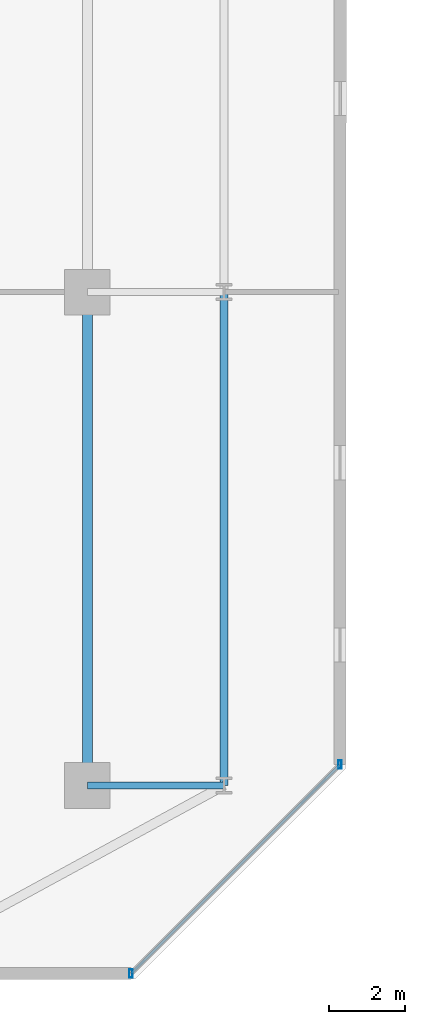
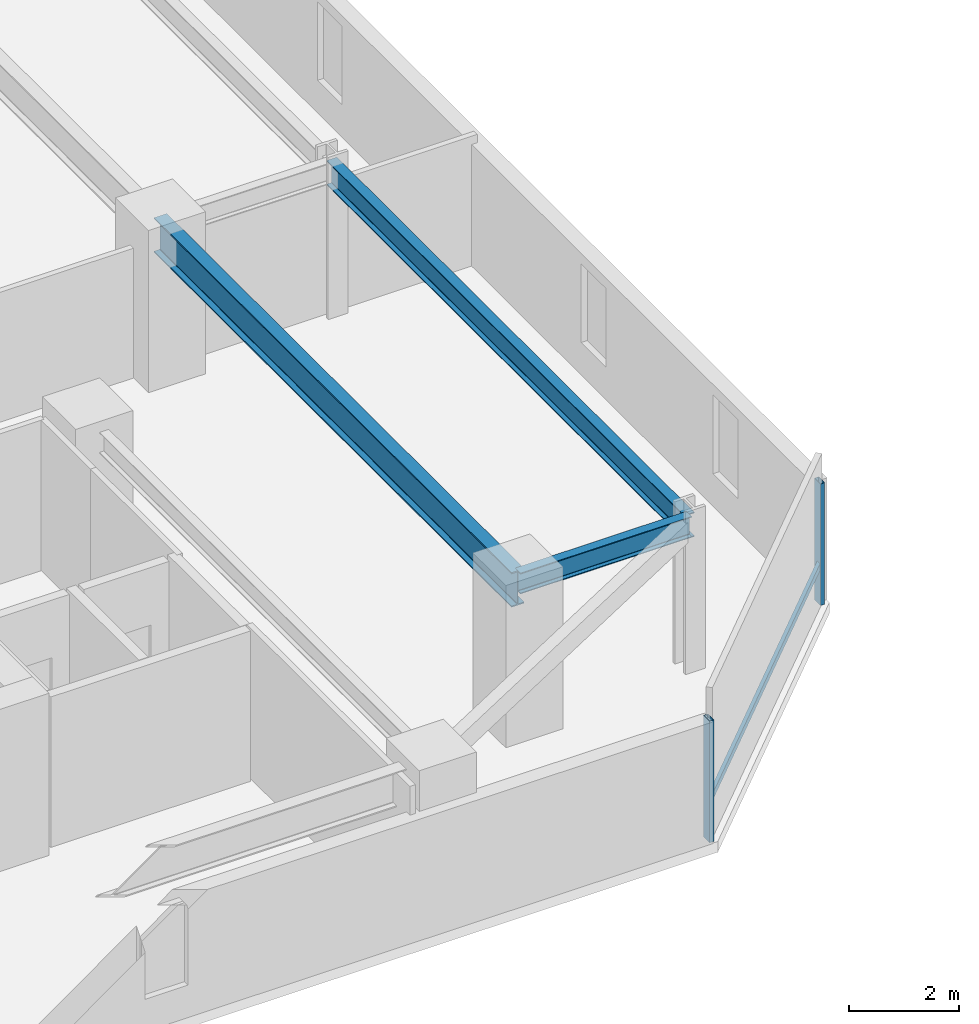
# One storey, part 5 of 29: 3 beams, 3 members, 1 element without a shape of its own.
"""IFC4 building model written with IfcOpenShell, lengths in metres."""

from ifc_helpers import new_model, si_unit, direction, frame, origin, origin_2d, place, context, subcontext, project, spatial, hollow_rectangle, i_section, extrude, material, material_profile, profile_set, type_object, element, aggregate, save


model = new_model("IFC4")

# Units and contexts
model_context = context("Model", 3, precision=1e-05, world=origin(), true_north=direction((0.0, 1.0)))
body_context = subcontext(model_context, "Body", "Model", "MODEL_VIEW")
ifc_project = project(units=[si_unit("LENGTHUNIT", "METRE"), si_unit("AREAUNIT", "SQUARE_METRE"), si_unit("VOLUMEUNIT", "CUBIC_METRE"), si_unit("PLANEANGLEUNIT", "RADIAN"), si_unit("MASSUNIT", "GRAM", prefix="KILO")], contexts=[model_context])

# Site, building, storey
site_placement = place(None, origin())
site = spatial("IfcSite", under=ifc_project, at=site_placement, CompositionType="ELEMENT")
building_placement = place(site_placement, origin())
building = spatial("IfcBuilding", under=site, at=building_placement, Name="Thornwick Lancets Civic Towers", CompositionType="ELEMENT")
storey_placement = place(building_placement, frame((0.0, 0.0, 83.699951171875)))
storey = spatial("IfcBuildingStorey", under=building, at=storey_placement, Name="L21", CompositionType="ELEMENT", Elevation=83.699951171875)

# Beams
ifc_material_1 = material(Name="Steel S355JR", Category="steel")
ifc_material_profile_1 = material_profile(ifc_material_1, i_section(OverallWidth=0.2119140625, OverallDepth=0.54443359375, WebThickness=0.0126953125, FlangeThickness=0.021240234375, FilletRadius=0.0126953125, at=origin_2d()), Name="UKB 533x210x122")
ifc_profile_set_1 = profile_set([ifc_material_profile_1], Name="Steel S355JR")
beam_type_1 = type_object("IfcBeamType", Name="BM_EDGE_533_122", PredefinedType="SPANDREL", material=ifc_profile_set_1)
beam_1_placement = place(storey_placement, frame((46.39990234375, 14.0, 3.087890625), z_axis=(0.0, 1.0, 0.0), x_axis=(-1.0, 0.0, 0.0)))
element("IfcBeam", 1, at=beam_1_placement, inside=storey, type_object=beam_type_1, Name="BM-EDGE-L21-A-S1-1", PredefinedType="SPANDREL", context=body_context, shape_type="SweptSolid", body=[
    extrude(i_section(OverallWidth=0.2119140625, OverallDepth=0.54443359375, WebThickness=0.0126953125, FlangeThickness=0.021240234375, FilletRadius=0.0126953125, at=origin_2d()), origin(), (0.0, 0.0, 1.0), 13.0),
])
ifc_material_profile_2 = material_profile(ifc_material_1, i_section(OverallWidth=0.26806640625, OverallDepth=0.769775390625, WebThickness=0.015625, FlangeThickness=0.025390625, FilletRadius=0.0166015625, at=origin_2d()), Name="UKB 762x267x197")
ifc_profile_set_2 = profile_set([ifc_material_profile_2], Name="Steel S355JR")
beam_type_2 = type_object("IfcBeamType", Name="BM_GIRD_762_197", PredefinedType="BEAM", material=ifc_profile_set_2)
beam_2_placement = place(storey_placement, frame((42.800048828125, 14.0, 2.97509765625), z_axis=(0.0, 1.0, 0.0), x_axis=(-1.0, 0.0, 0.0)))
element("IfcBeam", 2, at=beam_2_placement, inside=storey, type_object=beam_type_2, Name="BM-SPINE-L21-A-3-4", PredefinedType="BEAM", context=body_context, shape_type="SweptSolid", body=[
    extrude(i_section(OverallWidth=0.26806640625, OverallDepth=0.769775390625, WebThickness=0.015625, FlangeThickness=0.025390625, FilletRadius=0.0166015625, at=origin_2d()), origin(), (0.0, 0.0, 1.0), 13.0),
])
ifc_material_profile_3 = material_profile(ifc_material_1, i_section(OverallWidth=0.19189453125, OverallDepth=0.46337890625, WebThickness=0.010498046875, FlangeThickness=0.017578125, FilletRadius=0.01025390625, at=origin_2d()), Name="UKB 457x191x89")
ifc_profile_set_3 = profile_set([ifc_material_profile_3], Name="Steel S355JR")
beam_type_3 = type_object("IfcBeamType", Name="BM_JOIST_457_89", PredefinedType="JOIST", material=ifc_profile_set_3)
beam_3_placement = place(storey_placement, frame((42.800048828125, 14.0, 3.12841796875), z_axis=(1.0, 0.0, 0.0), x_axis=(0.0, 1.0, 0.0)))
element("IfcBeam", 3, at=beam_3_placement, inside=storey, type_object=beam_type_3, Name="BM-RAD-L21-A04", PredefinedType="JOIST", context=body_context, shape_type="SweptSolid", body=[
    extrude(i_section(OverallWidth=0.19189453125, OverallDepth=0.46337890625, WebThickness=0.010498046875, FlangeThickness=0.017578125, FilletRadius=0.01025390625, at=origin_2d()), origin(), (0.0, 0.0, 1.0), 3.599853515625),
])

# Curtain wall, members
ifc_material_2 = material(Name="Low-zone chamfered-corner unitised glass curtain wall", Category="glass")
curtain_wall_type = type_object("IfcCurtainWallType", Name="CW_SYS_03", PredefinedType="NOTDEFINED", material=ifc_material_2)
curtain_wall_placement = place(storey_placement, origin())
curtain_wall = element("IfcCurtainWall", 4, at=curtain_wall_placement, inside=storey, type_object=curtain_wall_type, Name="L21 Curtain Wall CW-L21-A-E1", PredefinedType="NOTDEFINED")
ifc_material_3 = material(Name="Thermally broken bronze aluminium S355", Category="steel")
ifc_material_profile_4 = material_profile(ifc_material_3, hollow_rectangle(XDim=0.090087890625, YDim=0.219970703125, WallThickness=0.00634765625, at=origin_2d()), Name="RHS 220x90x6.3")
ifc_profile_set_4 = profile_set([ifc_material_profile_4], Name="Thermally broken bronze aluminium S355")
member_type_1 = type_object("IfcMemberType", Name="CW_MUL_220", PredefinedType="MULLION", material=ifc_profile_set_4)
member_1_placement = place(storey_placement, frame((43.9482421875, 9.044921875, 0.0), z_axis=(0.0, 0.0, 1.0), x_axis=(1.0, 0.0, 0.0)))
member_1 = element("IfcMember", 5, at=member_1_placement, type_object=member_type_1, Name="CW-L21-A-E1 Mullion 0", PredefinedType="MULLION", context=body_context, shape_type="SweptSolid", body=[
    extrude(hollow_rectangle(XDim=0.090087890625, YDim=0.219970703125, WallThickness=0.00634765625, at=origin_2d()), origin(), (0.0, 0.0, 1.0), 2.699951171875),
])
member_2_placement = place(storey_placement, frame((49.455078125, 14.5517578125, 0.0), z_axis=(0.0, 0.0, 1.0), x_axis=(1.0, 0.0, 0.0)))
member_2 = element("IfcMember", 6, at=member_2_placement, type_object=member_type_1, Name="CW-L21-A-E1 Mullion 1", PredefinedType="MULLION", context=body_context, shape_type="SweptSolid", body=[
    extrude(hollow_rectangle(XDim=0.090087890625, YDim=0.219970703125, WallThickness=0.00634765625, at=origin_2d()), origin(), (0.0, 0.0, 1.0), 2.699951171875),
])
ifc_material_profile_5 = material_profile(ifc_material_3, hollow_rectangle(XDim=0.074951171875, YDim=0.14990234375, WallThickness=0.0048828125, at=origin_2d()), Name="RHS 150x75x5")
ifc_profile_set_5 = profile_set([ifc_material_profile_5], Name="Thermally broken bronze aluminium S355")
member_type_2 = type_object("IfcMemberType", Name="CW_TRN_150", PredefinedType="USERDEFINED", material=ifc_profile_set_5)
member_3_placement = place(storey_placement, frame((43.96240234375, 9.05908203125, 0.85009765625), z_axis=(0.707106781187, 0.707106781187, 0.0), x_axis=(-0.707106781187, 0.707106781187, 0.0)))
member_3 = element("IfcMember", 7, at=member_3_placement, type_object=member_type_2, Name="CW-L21-A-E1 Transom 0", ObjectType="TRANSOM", PredefinedType="USERDEFINED", context=body_context, shape_type="SweptSolid", body=[
    extrude(hollow_rectangle(XDim=0.074951171875, YDim=0.14990234375, WallThickness=0.0048828125, at=origin_2d()), origin(), (0.0, 0.0, 1.0), 7.747802734375),
])
aggregate(curtain_wall, [member_1, member_2, member_3])

save(model, "model.ifc")
